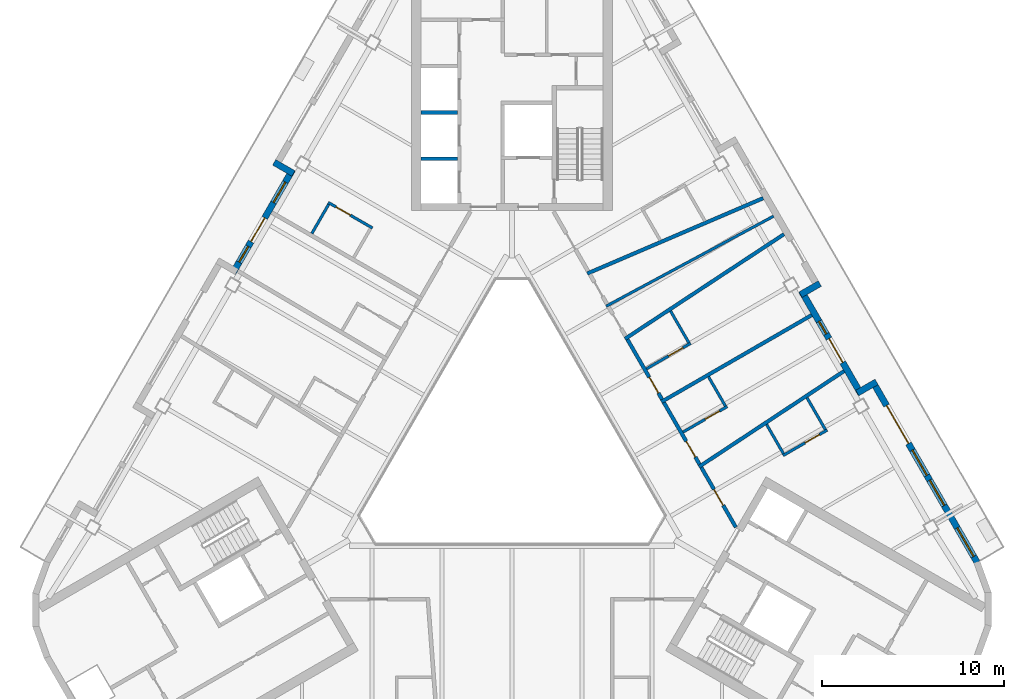
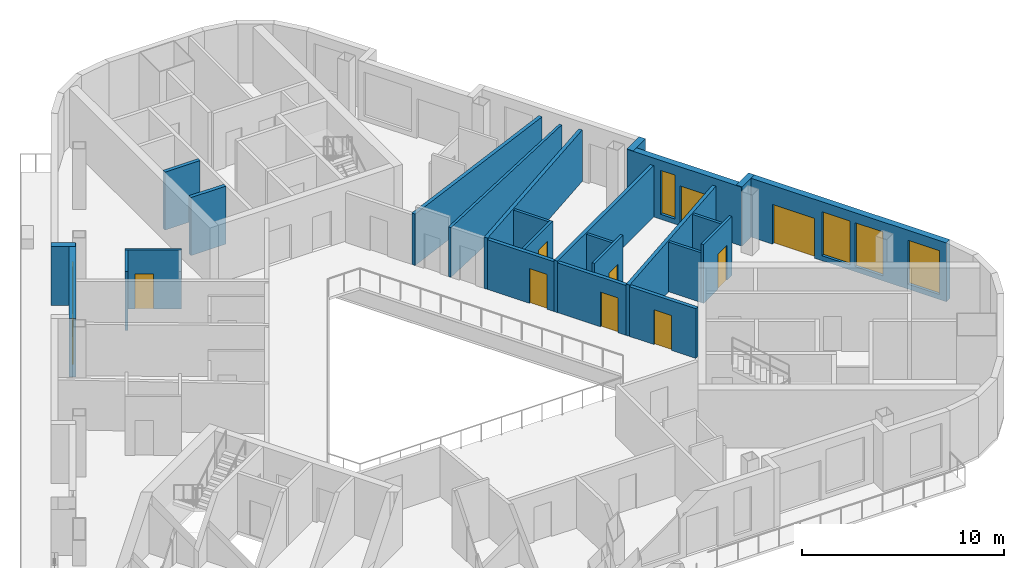
# One storey, part 6 of 14: 25 walls, 10 doors, 6 windows, 16 openings.
"""IFC4 building model written with IfcOpenShell, lengths in metres."""

from ifc_helpers import new_model, si_unit, direction, frame, frame_2d, origin, place, context, subcontext, project, spatial, rectangle, extrude, material, layer, layer_set, type_object, element, fill, save


model = new_model("IFC4")

# Units and contexts
model_context = context("Model", 3, precision=1e-05, world=origin(), true_north=direction((0.0, 1.0)))
body_context = subcontext(model_context, "Body", "Model", "MODEL_VIEW")
ifc_project = project(units=[si_unit("LENGTHUNIT", "METRE"), si_unit("AREAUNIT", "SQUARE_METRE"), si_unit("VOLUMEUNIT", "CUBIC_METRE"), si_unit("PLANEANGLEUNIT", "RADIAN"), si_unit("MASSUNIT", "GRAM", prefix="KILO")], contexts=[model_context])

# Site, building, storey
site_placement = place(None, origin())
site = spatial("IfcSite", under=ifc_project, at=site_placement, CompositionType="ELEMENT")
building_placement = place(site_placement, origin())
building = spatial("IfcBuilding", under=site, at=building_placement, Name="Apuvela Tower Hotel", CompositionType="ELEMENT")
storey_placement = place(building_placement, frame((0.0, 0.0, 261.5)))
storey = spatial("IfcBuildingStorey", under=building, at=storey_placement, Name="L64", CompositionType="ELEMENT", Elevation=261.5)

# Walls
ifc_material_1 = material(Name="Concrete C50/60", Category="concrete")
ifc_layer_1 = layer(ifc_material_1, 0.199951171875)
ifc_layer_set_1 = layer_set([ifc_layer_1], Name="COR-WALL-SHAFT-200")
wall_type_1 = type_object("IfcWallType", Name="COR-WALL-SHAFT-200", PredefinedType="SHEAR", material=ifc_layer_set_1)
for number, where, z_axis, x_axis, name in (
    (1, (-3.0, 15.739990234375, 0.0), (0.0, 0.0, 1.0), (-1.0, 0.0, 0.0), "Shaft wall N"),
    (2, (-3.0, 18.280029296875, 0.0), (0.0, 0.0, 1.0), (-1.0, 0.0, 0.0), "Shaft wall N"),
):
    element("IfcWall", number, at=place(storey_placement, frame(where, z_axis=z_axis, x_axis=x_axis)), inside=storey, type_object=wall_type_1, Name=name, PredefinedType="SHEAR", context=body_context, shape_type="SweptSolid", body=[
        extrude(rectangle(XDim=2.0, YDim=0.199951171875, at=frame_2d((1.0, 0.0))), origin(), (0.0, 0.0, 1.0), 3.5),
    ])
ifc_material_2 = material(Name="Concrete C40/50, dark pigmented precast panel", Category="concrete")
ifc_layer_2 = layer(ifc_material_2, 0.35009765625)
ifc_layer_set_2 = layer_set([ifc_layer_2], Name="ENV-WALL-350")
wall_type_2 = type_object("IfcWallType", Name="ENV-WALL-350", PredefinedType="SOLIDWALL", material=ifc_layer_set_2)
wall_1_placement = place(storey_placement, frame((-13.03564453125, 15.547607421875, 0.0), z_axis=(0.0, 0.0, 1.0), x_axis=(0.866005645448, -0.500034220881, 0.0)))
element("IfcWall", 3, at=wall_1_placement, inside=storey, type_object=wall_type_2, Name="External wall L64-02", PredefinedType="SOLIDWALL", context=body_context, shape_type="SweptSolid", body=[
    extrude(rectangle(XDim=1.22021484375, YDim=0.35009765625, at=frame_2d((0.610107421875, 0.0))), origin(), (0.0, 0.0, 1.0), 3.550048828125),
])

# Wall, openings, door, windows
wall_2_placement = place(storey_placement, frame((-12.031982421875, 15.1357421875, 0.0), z_axis=(0.0, 0.0, 1.0), x_axis=(-0.500005870429, -0.866022014464, 0.0)))
wall_2 = element("IfcWall", 4, at=wall_2_placement, inside=storey, type_object=wall_type_2, Name="External wall L64-03", PredefinedType="SOLIDWALL", context=body_context, shape_type="SweptSolid", body=[
    extrude(rectangle(XDim=6.51220703125, YDim=0.35009765625, at=frame_2d((3.256103515625, 0.0))), origin(), (0.0, 0.0, 1.0), 3.550048828125),
])
opening_1_placement = place(wall_2_placement, frame((0.77001953125, 0.0, 0.300048828125)))
opening_1 = element("IfcOpeningElement", 5, at=opening_1_placement, cuts=wall_2, Name="Opening WN13", PredefinedType="OPENING", context=body_context, shape_type="SweptSolid", body=[
    extrude(rectangle(XDim=1.300048828125, YDim=2.64990234375, at=frame_2d((0.64990234375, 1.324951171875))), frame((0.0, 0.18505859375, 0.0), z_axis=(0.0, -1.0, 0.0), x_axis=(1.0, 0.0, 0.0)), (0.0, 0.0, 1.0), 0.3701171875),
])
opening_2_placement = place(wall_2_placement, frame((3.0419921875, 0.0, 0.0)))
opening_2 = element("IfcOpeningElement", 6, at=opening_2_placement, cuts=wall_2, Name="Opening BD15", PredefinedType="OPENING", context=body_context, shape_type="SweptSolid", body=[
    extrude(rectangle(XDim=1.5, YDim=2.39990234375, at=frame_2d((0.75, 1.199951171875))), frame((0.0, 0.18505859375, 0.0), z_axis=(0.0, -1.0, 0.0), x_axis=(1.0, 0.0, 0.0)), (0.0, 0.0, 1.0), 0.3701171875),
])
opening_3_placement = place(wall_2_placement, frame((4.842041015625, 0.0, 0.300048828125)))
opening_3 = element("IfcOpeningElement", 7, at=opening_3_placement, cuts=wall_2, Name="Opening WN10", PredefinedType="OPENING", context=body_context, shape_type="SweptSolid", body=[
    extrude(rectangle(XDim=1.0, YDim=2.64990234375, at=frame_2d((0.5, 1.324951171875))), frame((0.0, 0.18505859375, 0.0), z_axis=(0.0, -1.0, 0.0), x_axis=(1.0, 0.0, 0.0)), (0.0, 0.0, 1.0), 0.3701171875),
])
ifc_material_3 = material(Name="Aluminium 6063-T6, dark bronze anodised frame with dark tinted laminated glass", Category="aluminium")
door_type_1 = type_object("IfcDoorType", Name="ENV-DOOR-BALCONY-1500x2400", OperationType="SLIDING_TO_LEFT", PredefinedType="DOOR", material=ifc_material_3)
door_1_placement = place(opening_2_placement, frame((1.5, 0.0, 0.0), z_axis=(0.0, 0.0, 1.0), x_axis=(-1.0, 0.0, 0.0)))
door_1 = element("IfcDoor", 8, at=door_1_placement, inside=storey, type_object=door_type_1, Name="Balcony door BD15", OperationType="SLIDING_TO_LEFT", OverallHeight=2.39990234375, OverallWidth=1.5, PredefinedType="DOOR", context=body_context, shape_type="SweptSolid", body=[
    extrude(rectangle(XDim=1.5, YDim=2.39990234375, at=frame_2d((0.75, 1.199951171875))), frame((0.0, 0.02490234375, 0.0), z_axis=(0.0, -1.0, 0.0), x_axis=(1.0, 0.0, 0.0)), (0.0, 0.0, 1.0), 0.050048828125),
])
fill(opening_2, door_1)
ifc_material_4 = material(Name="Glass, dark tinted laminated insulated glazing unit", Category="glass")
window_type_1 = type_object("IfcWindowType", Name="ENV-WIN-1000x2650", PartitioningType="SINGLE_PANEL", PredefinedType="WINDOW", material=ifc_material_4)
window_1_placement = place(opening_3_placement, origin())
window_1 = element("IfcWindow", 9, at=window_1_placement, inside=storey, type_object=window_type_1, Name="Window WN10", OverallHeight=2.64990234375, OverallWidth=1.0, PartitioningType="SINGLE_PANEL", PredefinedType="WINDOW", context=body_context, shape_type="SweptSolid", body=[
    extrude(rectangle(XDim=1.0, YDim=2.64990234375, at=frame_2d((0.5, 1.324951171875))), frame((0.0, 0.030029296875, 0.0), z_axis=(0.0, -1.0, 0.0), x_axis=(1.0, 0.0, 0.0)), (0.0, 0.0, 1.0), 0.06005859375),
])
fill(opening_3, window_1)
window_type_2 = type_object("IfcWindowType", Name="ENV-WIN-1300x2650", PartitioningType="SINGLE_PANEL", PredefinedType="WINDOW", material=ifc_material_4)
window_2_placement = place(opening_1_placement, origin())
window_2 = element("IfcWindow", 10, at=window_2_placement, inside=storey, type_object=window_type_2, Name="Window WN13", OverallHeight=2.64990234375, OverallWidth=1.300048828125, PartitioningType="SINGLE_PANEL", PredefinedType="WINDOW", context=body_context, shape_type="SweptSolid", body=[
    extrude(rectangle(XDim=1.300048828125, YDim=2.64990234375, at=frame_2d((0.64990234375, 1.324951171875))), frame((0.0, 0.030029296875, 0.0), z_axis=(0.0, -1.0, 0.0), x_axis=(1.0, 0.0, 0.0)), (0.0, 0.0, 1.0), 0.06005859375),
])
fill(opening_1, window_2)

wall_3_placement = place(storey_placement, frame((25.49365234375, -6.38037109375, 0.0), z_axis=(0.0, 0.0, 1.0), x_axis=(-0.499999932627, 0.866025442683, 0.0)))
wall_3 = element("IfcWall", 11, at=wall_3_placement, inside=storey, type_object=wall_type_2, Name="External wall L64-33", PredefinedType="SOLIDWALL", context=body_context, shape_type="SweptSolid", body=[
    extrude(rectangle(XDim=11.50048828125, YDim=0.35009765625, at=frame_2d((5.750244140625, 0.0))), origin(), (0.0, 0.0, 1.0), 3.550048828125),
])
opening_4_placement = place(wall_3_placement, frame((0.380126953125, 0.0, 0.300048828125)))
opening_4 = element("IfcOpeningElement", 12, at=opening_4_placement, cuts=wall_3, Name="Opening WN18", PredefinedType="OPENING", context=body_context, shape_type="SweptSolid", body=[
    extrude(rectangle(XDim=1.800048828125, YDim=2.64990234375, at=frame_2d((0.89990234375, 1.324951171875))), frame((0.0, 0.18505859375, 0.0), z_axis=(0.0, -1.0, 0.0), x_axis=(1.0, 0.0, 0.0)), (0.0, 0.0, 1.0), 0.3701171875),
])
opening_5_placement = place(wall_3_placement, frame((7.525146484375, 0.0, 0.0)))
opening_5 = element("IfcOpeningElement", 13, at=opening_5_placement, cuts=wall_3, Name="Opening BD24", PredefinedType="OPENING", context=body_context, shape_type="SweptSolid", body=[
    extrude(rectangle(XDim=2.39990234375, YDim=2.39990234375, at=frame_2d((1.199951171875, 1.199951171875))), frame((0.0, 0.18505859375, 0.0), z_axis=(0.0, -1.0, 0.0), x_axis=(1.0, 0.0, 0.0)), (0.0, 0.0, 1.0), 0.3701171875),
])
opening_6_placement = place(wall_3_placement, frame((3.603515625, 0.0, 0.300048828125)))
opening_6 = element("IfcOpeningElement", 14, at=opening_6_placement, cuts=wall_3, Name="Opening WN16", PredefinedType="OPENING", context=body_context, shape_type="SweptSolid", body=[
    extrude(rectangle(XDim=1.60009765625, YDim=2.64990234375, at=frame_2d((0.800048828125, 1.324951171875))), frame((0.0, 0.18505859375, 0.0), z_axis=(0.0, -1.0, 0.0), x_axis=(1.0, 0.0, 0.0)), (0.0, 0.0, 1.0), 0.3701171875),
])
opening_7_placement = place(wall_3_placement, frame((5.50341796875, 0.0, 0.300048828125)))
opening_7 = element("IfcOpeningElement", 15, at=opening_7_placement, cuts=wall_3, Name="Opening WN16", PredefinedType="OPENING", context=body_context, shape_type="SweptSolid", body=[
    extrude(rectangle(XDim=1.60009765625, YDim=2.64990234375, at=frame_2d((0.800048828125, 1.324951171875))), frame((0.0, 0.18505859375, 0.0), z_axis=(0.0, -1.0, 0.0), x_axis=(1.0, 0.0, 0.0)), (0.0, 0.0, 1.0), 0.3701171875),
])
door_type_2 = type_object("IfcDoorType", Name="ENV-DOOR-BALCONY-2400x2400", OperationType="SLIDING_TO_LEFT", PredefinedType="DOOR", material=ifc_material_3)
door_2_placement = place(opening_5_placement, frame((2.39990234375, 0.0, 0.0), z_axis=(0.0, 0.0, 1.0), x_axis=(-1.0, 0.0, 0.0)))
door_2 = element("IfcDoor", 16, at=door_2_placement, inside=storey, type_object=door_type_2, Name="Balcony door BD24", OperationType="SLIDING_TO_LEFT", OverallHeight=2.39990234375, OverallWidth=2.39990234375, PredefinedType="DOOR", context=body_context, shape_type="SweptSolid", body=[
    extrude(rectangle(XDim=2.39990234375, YDim=2.39990234375, at=frame_2d((1.199951171875, 1.199951171875))), frame((0.0, 0.02490234375, 0.0), z_axis=(0.0, -1.0, 0.0), x_axis=(1.0, 0.0, 0.0)), (0.0, 0.0, 1.0), 0.050048828125),
])
fill(opening_5, door_2)
window_type_3 = type_object("IfcWindowType", Name="ENV-WIN-1600x2650", PartitioningType="SINGLE_PANEL", PredefinedType="WINDOW", material=ifc_material_4)
window_3_placement = place(opening_6_placement, origin())
window_3 = element("IfcWindow", 17, at=window_3_placement, inside=storey, type_object=window_type_3, Name="Window WN16", OverallHeight=2.64990234375, OverallWidth=1.60009765625, PartitioningType="SINGLE_PANEL", PredefinedType="WINDOW", context=body_context, shape_type="SweptSolid", body=[
    extrude(rectangle(XDim=1.60009765625, YDim=2.64990234375, at=frame_2d((0.800048828125, 1.324951171875))), frame((0.0, 0.030029296875, 0.0), z_axis=(0.0, -1.0, 0.0), x_axis=(1.0, 0.0, 0.0)), (0.0, 0.0, 1.0), 0.06005859375),
])
fill(opening_6, window_3)
window_4_placement = place(opening_7_placement, origin())
window_4 = element("IfcWindow", 18, at=window_4_placement, inside=storey, type_object=window_type_3, Name="Window WN16", OverallHeight=2.64990234375, OverallWidth=1.60009765625, PartitioningType="SINGLE_PANEL", PredefinedType="WINDOW", context=body_context, shape_type="SweptSolid", body=[
    extrude(rectangle(XDim=1.60009765625, YDim=2.64990234375, at=frame_2d((0.800048828125, 1.324951171875))), frame((0.0, 0.030029296875, 0.0), z_axis=(0.0, -1.0, 0.0), x_axis=(1.0, 0.0, 0.0)), (0.0, 0.0, 1.0), 0.06005859375),
])
fill(opening_7, window_4)
window_type_4 = type_object("IfcWindowType", Name="ENV-WIN-1800x2650", PartitioningType="SINGLE_PANEL", PredefinedType="WINDOW", material=ifc_material_4)
window_5_placement = place(opening_4_placement, origin())
window_5 = element("IfcWindow", 19, at=window_5_placement, inside=storey, type_object=window_type_4, Name="Window WN18", OverallHeight=2.64990234375, OverallWidth=1.800048828125, PartitioningType="SINGLE_PANEL", PredefinedType="WINDOW", context=body_context, shape_type="SweptSolid", body=[
    extrude(rectangle(XDim=1.800048828125, YDim=2.64990234375, at=frame_2d((0.89990234375, 1.324951171875))), frame((0.0, 0.030029296875, 0.0), z_axis=(0.0, -1.0, 0.0), x_axis=(1.0, 0.0, 0.0)), (0.0, 0.0, 1.0), 0.06005859375),
])
fill(opening_4, window_5)

# Wall
wall_4_placement = place(storey_placement, frame((19.982421875, 3.515380859375, 0.0), z_axis=(0.0, 0.0, 1.0), x_axis=(-0.866092288191, -0.499884134912, 0.0)))
element("IfcWall", 20, at=wall_4_placement, inside=storey, type_object=wall_type_2, Name="External wall L64-34", PredefinedType="SOLIDWALL", context=body_context, shape_type="SweptSolid", body=[
    extrude(rectangle(XDim=1.219970703125, YDim=0.35009765625, at=frame_2d((0.60986328125, 0.0))), origin(), (0.0, 0.0, 1.0), 3.550048828125),
])

# Wall, openings, door, window
wall_5_placement = place(storey_placement, frame((19.123779296875, 2.852294921875, 0.0), z_axis=(0.0, 0.0, 1.0), x_axis=(-0.499993986225, 0.866028875811, 0.0)))
wall_5 = element("IfcWall", 21, at=wall_5_placement, inside=storey, type_object=wall_type_2, Name="External wall L64-35", PredefinedType="SOLIDWALL", context=body_context, shape_type="SweptSolid", body=[
    extrude(rectangle(XDim=6.51171875, YDim=0.35009765625, at=frame_2d((3.255859375, 0.0))), origin(), (0.0, 0.0, 1.0), 3.550048828125),
])
opening_8_placement = place(wall_5_placement, frame((1.997314453125, 0.0, 0.0)))
opening_8 = element("IfcOpeningElement", 22, at=opening_8_placement, cuts=wall_5, Name="Opening BD15", PredefinedType="OPENING", context=body_context, shape_type="SweptSolid", body=[
    extrude(rectangle(XDim=1.5, YDim=2.39990234375, at=frame_2d((0.75, 1.199951171875))), frame((0.0, 0.18505859375, 0.0), z_axis=(0.0, -1.0, 0.0), x_axis=(1.0, 0.0, 0.0)), (0.0, 0.0, 1.0), 0.3701171875),
])
opening_9_placement = place(wall_5_placement, frame((3.79736328125, 0.0, 0.300048828125)))
opening_9 = element("IfcOpeningElement", 23, at=opening_9_placement, cuts=wall_5, Name="Opening WN08", PredefinedType="OPENING", context=body_context, shape_type="SweptSolid", body=[
    extrude(rectangle(XDim=0.800048828125, YDim=2.64990234375, at=frame_2d((0.39990234375, 1.324951171875))), frame((0.0, 0.18505859375, 0.0), z_axis=(0.0, -1.0, 0.0), x_axis=(1.0, 0.0, 0.0)), (0.0, 0.0, 1.0), 0.3701171875),
])
door_3_placement = place(opening_8_placement, frame((1.5, 0.0, 0.0), z_axis=(0.0, 0.0, 1.0), x_axis=(-1.0, 0.0, 0.0)))
door_3 = element("IfcDoor", 24, at=door_3_placement, inside=storey, type_object=door_type_1, Name="Balcony door BD15", OperationType="SLIDING_TO_LEFT", OverallHeight=2.39990234375, OverallWidth=1.5, PredefinedType="DOOR", context=body_context, shape_type="SweptSolid", body=[
    extrude(rectangle(XDim=1.5, YDim=2.39990234375, at=frame_2d((0.75, 1.199951171875))), frame((0.0, 0.02490234375, 0.0), z_axis=(0.0, -1.0, 0.0), x_axis=(1.0, 0.0, 0.0)), (0.0, 0.0, 1.0), 0.050048828125),
])
fill(opening_8, door_3)
window_type_5 = type_object("IfcWindowType", Name="ENV-WIN-800x2650", PartitioningType="SINGLE_PANEL", PredefinedType="WINDOW", material=ifc_material_4)
window_6_placement = place(opening_9_placement, origin())
window_6 = element("IfcWindow", 25, at=window_6_placement, inside=storey, type_object=window_type_5, Name="Window WN08", OverallHeight=2.64990234375, OverallWidth=0.800048828125, PartitioningType="SINGLE_PANEL", PredefinedType="WINDOW", context=body_context, shape_type="SweptSolid", body=[
    extrude(rectangle(XDim=0.800048828125, YDim=2.64990234375, at=frame_2d((0.39990234375, 1.324951171875))), frame((0.0, 0.030029296875, 0.0), z_axis=(0.0, -1.0, 0.0), x_axis=(1.0, 0.0, 0.0)), (0.0, 0.0, 1.0), 0.06005859375),
])
fill(opening_9, window_6)

# Walls
wall_6_placement = place(storey_placement, frame((15.814697265625, 8.293701171875, 0.0), z_axis=(0.0, 0.0, 1.0), x_axis=(0.866055662726, 0.499947586314, 0.0)))
element("IfcWall", 26, at=wall_6_placement, inside=storey, type_object=wall_type_2, Name="External wall L64-36", PredefinedType="SOLIDWALL", context=body_context, shape_type="SweptSolid", body=[
    extrude(rectangle(XDim=1.220458984375, YDim=0.35009765625, at=frame_2d((0.6103515625, 0.0))), origin(), (0.0, 0.0, 1.0), 3.550048828125),
])
ifc_material_5 = material(Name="Gypsum board partition on twin steel stud", Category="steel")
ifc_layer_3 = layer(ifc_material_5, 0.199951171875)
ifc_layer_set_3 = layer_set([ifc_layer_3], Name="GST-PW1")
wall_type_3 = type_object("IfcWallType", Name="GST-PW1", PredefinedType="PARTITIONING", material=ifc_layer_set_3)
wall_7_placement = place(storey_placement, frame((18.1982421875, 4.10546875, 0.0), z_axis=(0.0, 0.0, 1.0), x_axis=(-0.83467370746, -0.550744770356, 0.0)))
element("IfcWall", 27, at=wall_7_placement, inside=storey, type_object=wall_type_3, Name="L64 partition 04", PredefinedType="PARTITIONING", context=body_context, shape_type="SweptSolid", body=[
    extrude(rectangle(XDim=9.52978515625, YDim=0.199951171875, at=frame_2d((4.764892578125, 0.0))), origin(), (0.0, 0.0, 1.0), 3.10009765625),
])
wall_8_placement = place(storey_placement, frame((16.426513671875, 7.17431640625, 0.0), z_axis=(0.0, 0.0, 1.0), x_axis=(-0.866033014143, -0.499986818241, 0.0)))
element("IfcWall", 28, at=wall_8_placement, inside=storey, type_object=wall_type_3, Name="L64 partition 05", PredefinedType="PARTITIONING", context=body_context, shape_type="SweptSolid", body=[
    extrude(rectangle(XDim=9.512939453125, YDim=0.199951171875, at=frame_2d((4.75634765625, 0.0))), origin(), (0.0, 0.0, 1.0), 3.10009765625),
])
wall_9_placement = place(storey_placement, frame((14.906005859375, 11.608154296875, 0.0), z_axis=(0.0, 0.0, 1.0), x_axis=(-0.835212554653, -0.549927257507, 0.0)))
element("IfcWall", 29, at=wall_9_placement, inside=storey, type_object=wall_type_3, Name="L64 partition 06", PredefinedType="PARTITIONING", context=body_context, shape_type="SweptSolid", body=[
    extrude(rectangle(XDim=10.43115234375, YDim=0.199951171875, at=frame_2d((5.215576171875, 0.0))), origin(), (0.0, 0.0, 1.0), 3.10009765625),
])
wall_10_placement = place(storey_placement, frame((13.765869140625, 13.582763671875, 0.0), z_axis=(0.0, 0.0, 1.0), x_axis=(-0.919210042537, -0.393767568115, 0.0)))
element("IfcWall", 30, at=wall_10_placement, inside=storey, type_object=wall_type_3, Name="L64 partition 07", PredefinedType="PARTITIONING", context=body_context, shape_type="SweptSolid", body=[
    extrude(rectangle(XDim=10.48681640625, YDim=0.199951171875, at=frame_2d((5.243408203125, 0.0))), origin(), (0.0, 0.0, 1.0), 3.10009765625),
])

# Wall, opening, door
ifc_material_6 = material(Name="Gypsum board corridor wall on twin steel stud, acoustic", Category="steel")
ifc_layer_4 = layer(ifc_material_6, 0.199951171875)
ifc_layer_set_4 = layer_set([ifc_layer_4], Name="GST-PW2")
wall_type_4 = type_object("IfcWallType", Name="GST-PW2", PredefinedType="PARTITIONING", material=ifc_layer_set_4)
wall_11_placement = place(storey_placement, frame((10.377685546875, -1.1748046875, 0.0), z_axis=(0.0, 0.0, 1.0), x_axis=(0.50004096614, -0.86600175068, 0.0)))
wall_11 = element("IfcWall", 31, at=wall_11_placement, inside=storey, type_object=wall_type_4, Name="L64 partition 21", PredefinedType="PARTITIONING", context=body_context, shape_type="SweptSolid", body=[
    extrude(rectangle(XDim=3.781982421875, YDim=0.199951171875, at=frame_2d((1.89111328125, 0.0))), origin(), (0.0, 0.0, 1.0), 3.0),
])
opening_10_placement = place(wall_11_placement, frame((1.39111328125, 0.0, 0.0)))
opening_10 = element("IfcOpeningElement", 32, at=opening_10_placement, cuts=wall_11, Name="Opening GD25-08", PredefinedType="OPENING", context=body_context, shape_type="SweptSolid", body=[
    extrude(rectangle(XDim=1.0, YDim=2.10009765625, at=frame_2d((0.5, 1.050048828125))), frame((0.0, 0.10986328125, 0.0), z_axis=(0.0, -1.0, 0.0), x_axis=(1.0, 0.0, 0.0)), (0.0, 0.0, 1.0), 0.219970703125),
])
ifc_material_7 = material(Name="Timber door leaf in steel frame", Category="steel")
door_type_3 = type_object("IfcDoorType", Name="GST-D1", OperationType="NOTDEFINED", PredefinedType="DOOR", material=ifc_material_7)
door_4_placement = place(opening_10_placement, origin())
door_4 = element("IfcDoor", 33, at=door_4_placement, inside=storey, type_object=door_type_3, Name="Door L64-08", OperationType="SINGLE_SWING_LEFT", OverallHeight=2.10009765625, OverallWidth=1.0, PredefinedType="DOOR", context=body_context, shape_type="SweptSolid", body=[
    extrude(rectangle(XDim=1.0, YDim=2.10009765625, at=frame_2d((0.5, 1.050048828125))), frame((0.0, 0.02490234375, 0.0), z_axis=(0.0, -1.0, 0.0), x_axis=(1.0, 0.0, 0.0)), (0.0, 0.0, 1.0), 0.050048828125),
])
fill(opening_10, door_4)

wall_12_placement = place(storey_placement, frame((8.32470703125, 2.38134765625, 0.0), z_axis=(0.0, 0.0, 1.0), x_axis=(0.499991187483, -0.866030491634, 0.0)))
wall_12 = element("IfcWall", 34, at=wall_12_placement, inside=storey, type_object=wall_type_4, Name="L64 partition 25", PredefinedType="PARTITIONING", context=body_context, shape_type="SweptSolid", body=[
    extrude(rectangle(XDim=3.90576171875, YDim=0.199951171875, at=frame_2d((1.952880859375, 0.0))), origin(), (0.0, 0.0, 1.0), 3.0),
])
opening_11_placement = place(wall_12_placement, frame((2.449951171875, 0.0, 0.0)))
opening_11 = element("IfcOpeningElement", 35, at=opening_11_placement, cuts=wall_12, Name="Opening GD25-10", PredefinedType="OPENING", context=body_context, shape_type="SweptSolid", body=[
    extrude(rectangle(XDim=1.0, YDim=2.10009765625, at=frame_2d((0.5, 1.050048828125))), frame((0.0, 0.10986328125, 0.0), z_axis=(0.0, -1.0, 0.0), x_axis=(1.0, 0.0, 0.0)), (0.0, 0.0, 1.0), 0.219970703125),
])
door_5_placement = place(opening_11_placement, origin())
door_5 = element("IfcDoor", 36, at=door_5_placement, inside=storey, type_object=door_type_3, Name="Door L64-10", OperationType="SINGLE_SWING_RIGHT", OverallHeight=2.10009765625, OverallWidth=1.0, PredefinedType="DOOR", context=body_context, shape_type="SweptSolid", body=[
    extrude(rectangle(XDim=1.0, YDim=2.10009765625, at=frame_2d((0.5, 1.050048828125))), frame((0.0, 0.02490234375, 0.0), z_axis=(0.0, -1.0, 0.0), x_axis=(1.0, 0.0, 0.0)), (0.0, 0.0, 1.0), 0.050048828125),
])
fill(opening_11, door_5)

wall_13_placement = place(storey_placement, frame((6.32763671875, 5.840087890625, 0.0), z_axis=(0.0, 0.0, 1.0), x_axis=(0.50002883476, -0.866008755388, 0.0)))
wall_13 = element("IfcWall", 37, at=wall_13_placement, inside=storey, type_object=wall_type_4, Name="L64 partition 28", PredefinedType="PARTITIONING", context=body_context, shape_type="SweptSolid", body=[
    extrude(rectangle(XDim=3.793701171875, YDim=0.199951171875, at=frame_2d((1.89697265625, 0.0))), origin(), (0.0, 0.0, 1.0), 3.0),
])
opening_12_placement = place(wall_13_placement, frame((2.39111328125, 0.0, 0.0)))
opening_12 = element("IfcOpeningElement", 38, at=opening_12_placement, cuts=wall_13, Name="Opening GD25-12", PredefinedType="OPENING", context=body_context, shape_type="SweptSolid", body=[
    extrude(rectangle(XDim=1.0, YDim=2.10009765625, at=frame_2d((0.5, 1.050048828125))), frame((0.0, 0.10986328125, 0.0), z_axis=(0.0, -1.0, 0.0), x_axis=(1.0, 0.0, 0.0)), (0.0, 0.0, 1.0), 0.219970703125),
])
door_6_placement = place(opening_12_placement, origin())
door_6 = element("IfcDoor", 39, at=door_6_placement, inside=storey, type_object=door_type_3, Name="Door L64-12", OperationType="SINGLE_SWING_RIGHT", OverallHeight=2.10009765625, OverallWidth=1.0, PredefinedType="DOOR", context=body_context, shape_type="SweptSolid", body=[
    extrude(rectangle(XDim=1.0, YDim=2.10009765625, at=frame_2d((0.5, 1.050048828125))), frame((0.0, 0.02490234375, 0.0), z_axis=(0.0, -1.0, 0.0), x_axis=(1.0, 0.0, 0.0)), (0.0, 0.0, 1.0), 0.050048828125),
])
fill(opening_12, door_6)

ifc_material_8 = material(Name="Moisture-resistant gypsum board wet wall on steel stud", Category="steel")
ifc_layer_5 = layer(ifc_material_8, 0.14990234375)
ifc_layer_set_5 = layer_set([ifc_layer_5], Name="GST-PW3")
wall_type_5 = type_object("IfcWallType", Name="GST-PW3", PredefinedType="PARTITIONING", material=ifc_layer_set_5)
wall_14_placement = place(storey_placement, frame((14.85205078125, -0.5244140625, 0.0), z_axis=(0.0, 0.0, 1.0), x_axis=(0.866034573852, 0.49998411664, 0.0)))
wall_14 = element("IfcWall", 40, at=wall_14_placement, inside=storey, type_object=wall_type_5, Name="L64 partition 22", PredefinedType="PARTITIONING", context=body_context, shape_type="SweptSolid", body=[
    extrude(rectangle(XDim=2.7998046875, YDim=0.14990234375, at=frame_2d((1.39990234375, 0.0))), origin(), (0.0, 0.0, 1.0), 3.550048828125),
])
opening_13_placement = place(wall_14_placement, frame((1.39990234375, 0.0, 0.0)))
opening_13 = element("IfcOpeningElement", 41, at=opening_13_placement, cuts=wall_14, Name="Opening GD25-07", PredefinedType="OPENING", context=body_context, shape_type="SweptSolid", body=[
    extrude(rectangle(XDim=0.89990234375, YDim=2.10009765625, at=frame_2d((0.449951171875, 1.050048828125))), frame((0.0, 0.0849609375, 0.0), z_axis=(0.0, -1.0, 0.0), x_axis=(1.0, 0.0, 0.0)), (0.0, 0.0, 1.0), 0.169921875),
])
door_type_4 = type_object("IfcDoorType", Name="GST-D2", OperationType="NOTDEFINED", PredefinedType="DOOR", material=ifc_material_7)
door_7_placement = place(opening_13_placement, origin())
door_7 = element("IfcDoor", 42, at=door_7_placement, inside=storey, type_object=door_type_4, Name="Door L64-07", OperationType="SINGLE_SWING_RIGHT", OverallHeight=2.10009765625, OverallWidth=0.89990234375, PredefinedType="DOOR", context=body_context, shape_type="SweptSolid", body=[
    extrude(rectangle(XDim=0.89990234375, YDim=2.10009765625, at=frame_2d((0.449951171875, 1.050048828125))), frame((0.0, 0.02490234375, 0.0), z_axis=(0.0, -1.0, 0.0), x_axis=(1.0, 0.0, 0.0)), (0.0, 0.0, 1.0), 0.050048828125),
])
fill(opening_13, door_7)

# Walls
wall_15_placement = place(storey_placement, frame((17.174560546875, 0.90283203125, 0.0), z_axis=(0.0, 0.0, 1.0), x_axis=(-0.499974444137, 0.866040157966, 0.0)))
element("IfcWall", 43, at=wall_15_placement, inside=storey, type_object=wall_type_5, Name="L64 partition 23", PredefinedType="PARTITIONING", context=body_context, shape_type="SweptSolid", body=[
    extrude(rectangle(XDim=2.0126953125, YDim=0.14990234375, at=frame_2d((1.00634765625, 0.0))), origin(), (0.0, 0.0, 1.0), 3.0),
])
wall_16_placement = place(storey_placement, frame((14.87939453125, -0.422119140625, 0.0), z_axis=(0.0, 0.0, 1.0), x_axis=(-0.499920006315, 0.866071583234, 0.0)))
element("IfcWall", 44, at=wall_16_placement, inside=storey, type_object=wall_type_5, Name="L64 partition 24", PredefinedType="PARTITIONING", context=body_context, shape_type="SweptSolid", body=[
    extrude(rectangle(XDim=1.854248046875, YDim=0.14990234375, at=frame_2d((0.92724609375, 0.0))), origin(), (0.0, 0.0, 1.0), 3.0),
])

# Wall, opening, door
wall_17_placement = place(storey_placement, frame((9.373779296875, 0.76416015625, 0.0), z_axis=(0.0, 0.0, 1.0), x_axis=(0.865996816683, 0.500049511043, 0.0)))
wall_17 = element("IfcWall", 45, at=wall_17_placement, inside=storey, type_object=wall_type_5, Name="L64 partition 26", PredefinedType="PARTITIONING", context=body_context, shape_type="SweptSolid", body=[
    extrude(rectangle(XDim=2.800048828125, YDim=0.14990234375, at=frame_2d((1.39990234375, 0.0))), origin(), (0.0, 0.0, 1.0), 3.550048828125),
])
opening_14_placement = place(wall_17_placement, frame((1.39990234375, 0.0, 0.0)))
opening_14 = element("IfcOpeningElement", 46, at=opening_14_placement, cuts=wall_17, Name="Opening GD25-09", PredefinedType="OPENING", context=body_context, shape_type="SweptSolid", body=[
    extrude(rectangle(XDim=0.89990234375, YDim=2.10009765625, at=frame_2d((0.449951171875, 1.050048828125))), frame((0.0, 0.0849609375, 0.0), z_axis=(0.0, -1.0, 0.0), x_axis=(1.0, 0.0, 0.0)), (0.0, 0.0, 1.0), 0.169921875),
])
door_8_placement = place(opening_14_placement, origin())
door_8 = element("IfcDoor", 47, at=door_8_placement, inside=storey, type_object=door_type_4, Name="Door L64-09", OperationType="SINGLE_SWING_RIGHT", OverallHeight=2.10009765625, OverallWidth=0.89990234375, PredefinedType="DOOR", context=body_context, shape_type="SweptSolid", body=[
    extrude(rectangle(XDim=0.89990234375, YDim=2.10009765625, at=frame_2d((0.449951171875, 1.050048828125))), frame((0.0, 0.02490234375, 0.0), z_axis=(0.0, -1.0, 0.0), x_axis=(1.0, 0.0, 0.0)), (0.0, 0.0, 1.0), 0.050048828125),
])
fill(opening_14, door_8)

# Wall
wall_18_placement = place(storey_placement, frame((11.696044921875, 2.191650390625, 0.0), z_axis=(0.0, 0.0, 1.0), x_axis=(-0.500042316284, 0.866000971088, 0.0)))
element("IfcWall", 48, at=wall_18_placement, inside=storey, type_object=wall_type_5, Name="L64 partition 27", PredefinedType="PARTITIONING", context=body_context, shape_type="SweptSolid", body=[
    extrude(rectangle(XDim=1.849853515625, YDim=0.14990234375, at=frame_2d((0.9248046875, 0.0))), origin(), (0.0, 0.0, 1.0), 3.0),
])

# Wall, opening, door
wall_19_placement = place(storey_placement, frame((7.370849609375, 4.2333984375, 0.0), z_axis=(0.0, 0.0, 1.0), x_axis=(0.866034573852, 0.49998411664, 0.0)))
wall_19 = element("IfcWall", 49, at=wall_19_placement, inside=storey, type_object=wall_type_5, Name="L64 partition 29", PredefinedType="PARTITIONING", context=body_context, shape_type="SweptSolid", body=[
    extrude(rectangle(XDim=2.7998046875, YDim=0.14990234375, at=frame_2d((1.39990234375, 0.0))), origin(), (0.0, 0.0, 1.0), 3.0),
])
opening_15_placement = place(wall_19_placement, frame((1.39990234375, 0.0, 0.0)))
opening_15 = element("IfcOpeningElement", 50, at=opening_15_placement, cuts=wall_19, Name="Opening GD25-11", PredefinedType="OPENING", context=body_context, shape_type="SweptSolid", body=[
    extrude(rectangle(XDim=0.89990234375, YDim=2.10009765625, at=frame_2d((0.449951171875, 1.050048828125))), frame((0.0, 0.0849609375, 0.0), z_axis=(0.0, -1.0, 0.0), x_axis=(1.0, 0.0, 0.0)), (0.0, 0.0, 1.0), 0.169921875),
])
door_9_placement = place(opening_15_placement, origin())
door_9 = element("IfcDoor", 51, at=door_9_placement, inside=storey, type_object=door_type_4, Name="Door L64-11", OperationType="SINGLE_SWING_RIGHT", OverallHeight=2.10009765625, OverallWidth=0.89990234375, PredefinedType="DOOR", context=body_context, shape_type="SweptSolid", body=[
    extrude(rectangle(XDim=0.89990234375, YDim=2.10009765625, at=frame_2d((0.449951171875, 1.050048828125))), frame((0.0, 0.02490234375, 0.0), z_axis=(0.0, -1.0, 0.0), x_axis=(1.0, 0.0, 0.0)), (0.0, 0.0, 1.0), 0.050048828125),
])
fill(opening_15, door_9)

# Walls
wall_20_placement = place(storey_placement, frame((9.693115234375, 5.660888671875, 0.0), z_axis=(0.0, 0.0, 1.0), x_axis=(-0.499964999879, 0.866045610171, 0.0)))
element("IfcWall", 52, at=wall_20_placement, inside=storey, type_object=wall_type_5, Name="L64 partition 30", PredefinedType="PARTITIONING", context=body_context, shape_type="SweptSolid", body=[
    extrude(rectangle(XDim=2.004150390625, YDim=0.14990234375, at=frame_2d((1.001953125, 0.0))), origin(), (0.0, 0.0, 1.0), 3.0),
])
wall_21_placement = place(storey_placement, frame((14.3359375, 12.595458984375, 0.0), z_axis=(0.0, 0.0, 1.0), x_axis=(-0.880794466183, -0.473498794445, 0.0)))
element("IfcWall", 53, at=wall_21_placement, inside=storey, type_object=wall_type_5, Name="L64 partition 31", PredefinedType="PARTITIONING", context=body_context, shape_type="SweptSolid", body=[
    extrude(rectangle(XDim=10.41796875, YDim=0.14990234375, at=frame_2d((5.208984375, 0.0))), origin(), (0.0, 0.0, 1.0), 3.0),
])

# Wall, opening, door
wall_22_placement = place(storey_placement, frame((-7.6494140625, 11.95068359375, 0.0), z_axis=(0.0, 0.0, 1.0), x_axis=(-0.865996816683, 0.500049511043, 0.0)))
wall_22 = element("IfcWall", 54, at=wall_22_placement, inside=storey, type_object=wall_type_5, Name="L64 partition 39", PredefinedType="PARTITIONING", context=body_context, shape_type="SweptSolid", body=[
    extrude(rectangle(XDim=2.800048828125, YDim=0.14990234375, at=frame_2d((1.39990234375, 0.0))), origin(), (0.0, 0.0, 1.0), 3.550048828125),
])
opening_16_placement = place(wall_22_placement, frame((1.39990234375, 0.0, 0.0)))
opening_16 = element("IfcOpeningElement", 55, at=opening_16_placement, cuts=wall_22, Name="Opening GD25-17", PredefinedType="OPENING", context=body_context, shape_type="SweptSolid", body=[
    extrude(rectangle(XDim=0.89990234375, YDim=2.10009765625, at=frame_2d((0.449951171875, 1.050048828125))), frame((0.0, 0.0849609375, 0.0), z_axis=(0.0, -1.0, 0.0), x_axis=(1.0, 0.0, 0.0)), (0.0, 0.0, 1.0), 0.169921875),
])
door_10_placement = place(opening_16_placement, origin())
door_10 = element("IfcDoor", 56, at=door_10_placement, inside=storey, type_object=door_type_4, Name="Door L64-17", OperationType="SINGLE_SWING_RIGHT", OverallHeight=2.10009765625, OverallWidth=0.89990234375, PredefinedType="DOOR", context=body_context, shape_type="SweptSolid", body=[
    extrude(rectangle(XDim=0.89990234375, YDim=2.10009765625, at=frame_2d((0.449951171875, 1.050048828125))), frame((0.0, 0.02490234375, 0.0), z_axis=(0.0, -1.0, 0.0), x_axis=(1.0, 0.0, 0.0)), (0.0, 0.0, 1.0), 0.050048828125),
])
fill(opening_16, door_10)

# Wall
wall_23_placement = place(storey_placement, frame((-10.046875, 13.248291015625, 0.0), z_axis=(0.0, 0.0, 1.0), x_axis=(-0.49994333299, -0.866058118026, 0.0)))
element("IfcWall", 57, at=wall_23_placement, inside=storey, type_object=wall_type_5, Name="L64 partition 40", PredefinedType="PARTITIONING", context=body_context, shape_type="SweptSolid", body=[
    extrude(rectangle(XDim=1.849853515625, YDim=0.14990234375, at=frame_2d((0.9248046875, 0.0))), origin(), (0.0, 0.0, 1.0), 3.550048828125),
])

save(model, "model.ifc")
